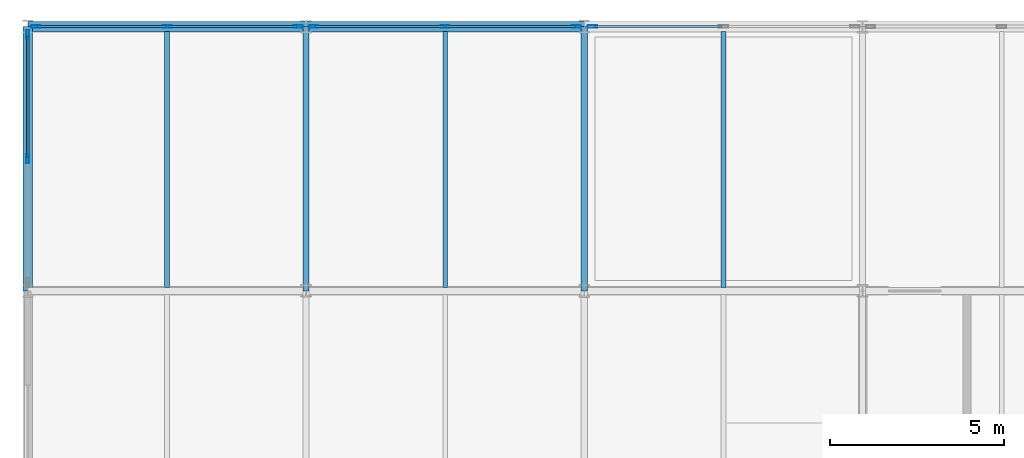
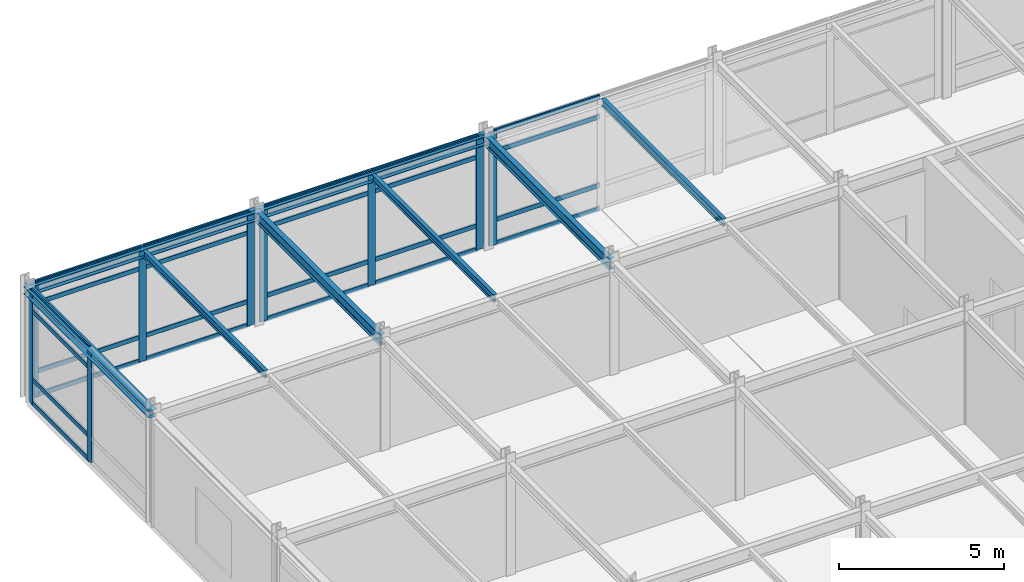
# One storey, part 8 of 16: 33 members, 8 beams, 4 elements without a shape of their own.
"""IFC4 building model written with IfcOpenShell, lengths in metres."""

from ifc_helpers import new_model, si_unit, direction, frame, origin, origin_2d, place, context, subcontext, project, spatial, hollow_rectangle, i_section, extrude, material, layer, layer_set, material_profile, profile_set, type_object, element, aggregate, save


model = new_model("IFC4")

# Units and contexts
model_context = context("Model", 3, precision=1e-05, world=origin(), true_north=direction((0.0, 1.0)))
body_context = subcontext(model_context, "Body", "Model", "MODEL_VIEW")
ifc_project = project(units=[si_unit("LENGTHUNIT", "METRE"), si_unit("AREAUNIT", "SQUARE_METRE"), si_unit("VOLUMEUNIT", "CUBIC_METRE"), si_unit("PLANEANGLEUNIT", "RADIAN"), si_unit("MASSUNIT", "GRAM", prefix="KILO")], contexts=[model_context])

# Site, building, storey
site_placement = place(None, origin())
site = spatial("IfcSite", under=ifc_project, at=site_placement, CompositionType="ELEMENT")
building_placement = place(site_placement, origin())
building = spatial("IfcBuilding", under=site, at=building_placement, Name="Shalkamar Park Central Library", CompositionType="ELEMENT")
storey_placement = place(building_placement, frame((0.0, 0.0, 51.60009765625)))
storey = spatial("IfcBuildingStorey", under=building, at=storey_placement, Name="L13", CompositionType="ELEMENT", Elevation=51.60009765625)

# Beams
ifc_material_1 = material(Name="Steel S355", Category="steel")
ifc_material_profile_1 = material_profile(ifc_material_1, i_section(OverallWidth=0.135009765625, OverallDepth=0.27001953125, WebThickness=0.006591796875, FlangeThickness=0.01025390625, FilletRadius=0.014892578125, at=origin_2d()), Name="IPE 270")
ifc_profile_set_1 = profile_set([ifc_material_profile_1], Name="Steel S355")
beam_type_1 = type_object("IfcBeamType", Name="Composite Floor Joist IPE270", PredefinedType="JOIST", material=ifc_profile_set_1)
for number, where, z_axis, x_axis, name in (
    (1, (169.0, 278.097900390625, 4.044921875), (0.0, 1.0, 0.0), (-1.0, 0.0, 0.0), "Composite Joist 07/F-1 (L13)"),
    (2, (177.0, 278.097900390625, 4.044921875), (0.0, 1.0, 0.0), (-1.0, 0.0, 0.0), "Composite Joist 08/F-1 (L13)"),
    (3, (185.0, 278.097900390625, 4.044921875), (0.0, 1.0, 0.0), (-1.0, 0.0, 0.0), "Composite Joist 09/F-1 (L13)"),
):
    element("IfcBeam", number, at=place(storey_placement, frame(where, z_axis=z_axis, x_axis=x_axis)), inside=storey, type_object=beam_type_1, Name=name, PredefinedType="JOIST", context=body_context, shape_type="SweptSolid", body=[
        extrude(i_section(OverallWidth=0.135009765625, OverallDepth=0.27001953125, WebThickness=0.006591796875, FlangeThickness=0.01025390625, FilletRadius=0.014892578125, at=origin_2d()), origin(), (0.0, 0.0, 1.0), 7.35400390625),
    ])

# Curtain wall, members
ifc_material_2 = material(Name="Thermally broken aluminium and triple low-e curtain wall", Category="aluminium")
ifc_layer_1 = layer(ifc_material_2, 0.260009765625)
ifc_layer_set_1 = layer_set([ifc_layer_1], Name="UnitisedCurtainWall_89")
curtain_wall_type_1 = type_object("IfcCurtainWallType", Name="Unitised Curtain Wall 89", PredefinedType="USERDEFINED", material=ifc_layer_set_1)
curtain_wall_1_placement = place(storey_placement, origin())
curtain_wall_1 = element("IfcCurtainWall", 4, at=curtain_wall_1_placement, inside=storey, type_object=curtain_wall_type_1, Name="Unitised Curtain Wall CW-L13-142", ObjectType="UNITISED CURTAIN WALL", PredefinedType="USERDEFINED")
ifc_material_3 = material(Name="Aluminium 6060-T66", Category="aluminium")
ifc_material_profile_2 = material_profile(ifc_material_3, hollow_rectangle(XDim=0.074951171875, YDim=0.260009765625, WallThickness=0.00439453125, InnerFilletRadius=0.00439453125, OuterFilletRadius=0.0068359375, at=origin_2d()), Name="ALU 75x260x4.5")
ifc_profile_set_2 = profile_set([ifc_material_profile_2], Name="Aluminium 6060-T66")
member_type_1 = type_object("IfcMemberType", Name="Curtain Wall Mullion ALU75x260", PredefinedType="MULLION", material=ifc_profile_set_2)
member_1_placement = place(storey_placement, frame((165.22998046875, 285.60009765625, 0.0), z_axis=(0.0, 0.0, 1.0), x_axis=(0.0, 1.0, 0.0)))
member_1 = element("IfcMember", 5, at=member_1_placement, type_object=member_type_1, Name="CW-89 mullion 1", PredefinedType="MULLION", context=body_context, shape_type="SweptSolid", body=[
    extrude(hollow_rectangle(XDim=0.074951171875, YDim=0.260009765625, WallThickness=0.00439453125, InnerFilletRadius=0.00439453125, OuterFilletRadius=0.0068359375, at=origin_2d()), origin(), (0.0, 0.0, 1.0), 4.179931640625),
])
member_2_placement = place(storey_placement, frame((169.00439453125, 285.60009765625, 0.0), z_axis=(0.0, 0.0, 1.0), x_axis=(0.0, 1.0, 0.0)))
member_2 = element("IfcMember", 6, at=member_2_placement, type_object=member_type_1, Name="CW-89 mullion 2", PredefinedType="MULLION", context=body_context, shape_type="SweptSolid", body=[
    extrude(hollow_rectangle(XDim=0.074951171875, YDim=0.260009765625, WallThickness=0.00439453125, InnerFilletRadius=0.00439453125, OuterFilletRadius=0.0068359375, at=origin_2d()), origin(), (0.0, 0.0, 1.0), 4.179931640625),
])
member_3_placement = place(storey_placement, frame((172.779052734375, 285.60009765625, 0.0), z_axis=(0.0, 0.0, 1.0), x_axis=(0.0, 1.0, 0.0)))
member_3 = element("IfcMember", 7, at=member_3_placement, type_object=member_type_1, Name="CW-89 mullion 3", PredefinedType="MULLION", context=body_context, shape_type="SweptSolid", body=[
    extrude(hollow_rectangle(XDim=0.074951171875, YDim=0.260009765625, WallThickness=0.00439453125, InnerFilletRadius=0.00439453125, OuterFilletRadius=0.0068359375, at=origin_2d()), origin(), (0.0, 0.0, 1.0), 4.179931640625),
])

ifc_layer_2 = layer(ifc_material_2, 0.2548828125)
ifc_layer_set_2 = layer_set([ifc_layer_2], Name="UnitisedCurtainWall_90")
curtain_wall_type_2 = type_object("IfcCurtainWallType", Name="Unitised Curtain Wall 90", PredefinedType="USERDEFINED", material=ifc_layer_set_2)
curtain_wall_2_placement = place(storey_placement, origin())
curtain_wall_2 = element("IfcCurtainWall", 8, at=curtain_wall_2_placement, inside=storey, type_object=curtain_wall_type_2, Name="Unitised Curtain Wall CW-L13-143", ObjectType="UNITISED CURTAIN WALL", PredefinedType="USERDEFINED")
ifc_material_profile_3 = material_profile(ifc_material_3, hollow_rectangle(XDim=0.080078125, YDim=0.2548828125, WallThickness=0.00439453125, InnerFilletRadius=0.00439453125, OuterFilletRadius=0.0068359375, at=origin_2d()), Name="ALU 80x255x4.5")
ifc_profile_set_3 = profile_set([ifc_material_profile_3], Name="Aluminium 6060-T66")
member_type_2 = type_object("IfcMemberType", Name="Curtain Wall Mullion ALU80x255", PredefinedType="MULLION", material=ifc_profile_set_3)
member_4_placement = place(storey_placement, frame((173.223388671875, 285.60009765625, 0.0), z_axis=(0.0, 0.0, 1.0), x_axis=(0.0, 1.0, 0.0)))
member_4 = element("IfcMember", 9, at=member_4_placement, type_object=member_type_2, Name="CW-90 mullion 1", PredefinedType="MULLION", context=body_context, shape_type="SweptSolid", body=[
    extrude(hollow_rectangle(XDim=0.080078125, YDim=0.2548828125, WallThickness=0.00439453125, InnerFilletRadius=0.00439453125, OuterFilletRadius=0.0068359375, at=origin_2d()), origin(), (0.0, 0.0, 1.0), 4.179931640625),
])
member_5_placement = place(storey_placement, frame((176.99560546875, 285.60009765625, 0.0), z_axis=(0.0, 0.0, 1.0), x_axis=(0.0, 1.0, 0.0)))
member_5 = element("IfcMember", 10, at=member_5_placement, type_object=member_type_2, Name="CW-90 mullion 2", PredefinedType="MULLION", context=body_context, shape_type="SweptSolid", body=[
    extrude(hollow_rectangle(XDim=0.080078125, YDim=0.2548828125, WallThickness=0.00439453125, InnerFilletRadius=0.00439453125, OuterFilletRadius=0.0068359375, at=origin_2d()), origin(), (0.0, 0.0, 1.0), 4.179931640625),
])
member_6_placement = place(storey_placement, frame((180.767578125, 285.60009765625, 0.0), z_axis=(0.0, 0.0, 1.0), x_axis=(0.0, 1.0, 0.0)))
member_6 = element("IfcMember", 11, at=member_6_placement, type_object=member_type_2, Name="CW-90 mullion 3", PredefinedType="MULLION", context=body_context, shape_type="SweptSolid", body=[
    extrude(hollow_rectangle(XDim=0.080078125, YDim=0.2548828125, WallThickness=0.00439453125, InnerFilletRadius=0.00439453125, OuterFilletRadius=0.0068359375, at=origin_2d()), origin(), (0.0, 0.0, 1.0), 4.179931640625),
])

ifc_layer_3 = layer(ifc_material_2, 0.2548828125)
ifc_layer_set_3 = layer_set([ifc_layer_3], Name="UnitisedCurtainWall_95")
curtain_wall_type_3 = type_object("IfcCurtainWallType", Name="Unitised Curtain Wall 95", PredefinedType="USERDEFINED", material=ifc_layer_set_3)
curtain_wall_3_placement = place(storey_placement, origin())
curtain_wall_3 = element("IfcCurtainWall", 12, at=curtain_wall_3_placement, inside=storey, type_object=curtain_wall_type_3, Name="Unitised Curtain Wall CW-L13-149", ObjectType="UNITISED CURTAIN WALL", PredefinedType="USERDEFINED")
member_7_placement = place(storey_placement, frame((165.0, 281.800048828125, 0.0), z_axis=(0.0, 0.0, 1.0), x_axis=(-1.0, 0.0, 0.0)))
member_7 = element("IfcMember", 13, at=member_7_placement, type_object=member_type_2, Name="CW-95 mullion 2", PredefinedType="MULLION", context=body_context, shape_type="SweptSolid", body=[
    extrude(hollow_rectangle(XDim=0.080078125, YDim=0.2548828125, WallThickness=0.00439453125, InnerFilletRadius=0.00439453125, OuterFilletRadius=0.0068359375, at=origin_2d()), origin(), (0.0, 0.0, 1.0), 4.179931640625),
])
member_8_placement = place(storey_placement, frame((165.0, 285.367431640625, 0.0), z_axis=(0.0, 0.0, 1.0), x_axis=(-1.0, 0.0, 0.0)))
member_8 = element("IfcMember", 14, at=member_8_placement, type_object=member_type_2, Name="CW-95 mullion 3", PredefinedType="MULLION", context=body_context, shape_type="SweptSolid", body=[
    extrude(hollow_rectangle(XDim=0.080078125, YDim=0.2548828125, WallThickness=0.00439453125, InnerFilletRadius=0.00439453125, OuterFilletRadius=0.0068359375, at=origin_2d()), origin(), (0.0, 0.0, 1.0), 4.179931640625),
])

# Curtain wall, member
ifc_layer_4 = layer(ifc_material_2, 0.27001953125)
ifc_layer_set_4 = layer_set([ifc_layer_4], Name="UnitisedCurtainWall_91")
curtain_wall_type_4 = type_object("IfcCurtainWallType", Name="Unitised Curtain Wall 91", PredefinedType="USERDEFINED", material=ifc_layer_set_4)
curtain_wall_4_placement = place(storey_placement, origin())
curtain_wall_4 = element("IfcCurtainWall", 15, at=curtain_wall_4_placement, inside=storey, type_object=curtain_wall_type_4, Name="Unitised Curtain Wall CW-L13-144", ObjectType="UNITISED CURTAIN WALL", PredefinedType="USERDEFINED")
ifc_material_profile_4 = material_profile(ifc_material_3, hollow_rectangle(XDim=0.080078125, YDim=0.27001953125, WallThickness=0.0048828125, InnerFilletRadius=0.0048828125, OuterFilletRadius=0.007568359375, at=origin_2d()), Name="ALU 80x270x5")
ifc_profile_set_4 = profile_set([ifc_material_profile_4], Name="Aluminium 6060-T66")
member_type_3 = type_object("IfcMemberType", Name="Curtain Wall Mullion ALU80x270", PredefinedType="MULLION", material=ifc_profile_set_4)
member_9_placement = place(storey_placement, frame((181.232421875, 285.60009765625, 0.0), z_axis=(0.0, 0.0, 1.0), x_axis=(0.0, 1.0, 0.0)))
member_9 = element("IfcMember", 16, at=member_9_placement, type_object=member_type_3, Name="CW-91 mullion 1", PredefinedType="MULLION", context=body_context, shape_type="SweptSolid", body=[
    extrude(hollow_rectangle(XDim=0.080078125, YDim=0.27001953125, WallThickness=0.0048828125, InnerFilletRadius=0.0048828125, OuterFilletRadius=0.007568359375, at=origin_2d()), origin(), (0.0, 0.0, 1.0), 4.179931640625),
])

# Member
ifc_material_profile_5 = material_profile(ifc_material_3, hollow_rectangle(XDim=0.06005859375, YDim=0.1650390625, WallThickness=0.00390625, InnerFilletRadius=0.00390625, OuterFilletRadius=0.006103515625, at=origin_2d()), Name="ALU 60x165x4")
ifc_profile_set_5 = profile_set([ifc_material_profile_5], Name="Aluminium 6060-T66")
member_type_4 = type_object("IfcMemberType", Name="Curtain Wall Transom ALU60x165", PredefinedType="USERDEFINED", material=ifc_profile_set_5)
member_10_placement = place(storey_placement, frame((165.267578125, 285.60009765625, 0.02978515625), z_axis=(1.0, 0.0, 0.0), x_axis=(0.0, 1.0, 0.0)))
member_10 = element("IfcMember", 17, at=member_10_placement, type_object=member_type_4, Name="CW-89 transom 1.1", ObjectType="TRANSOM", PredefinedType="USERDEFINED", context=body_context, shape_type="SweptSolid", body=[
    extrude(hollow_rectangle(XDim=0.06005859375, YDim=0.1650390625, WallThickness=0.00390625, InnerFilletRadius=0.00390625, OuterFilletRadius=0.006103515625, at=origin_2d()), origin(), (0.0, 0.0, 1.0), 3.699462890625),
])

member_11_placement = place(storey_placement, frame((165.267578125, 285.60009765625, 0.89990234375), z_axis=(1.0, 0.0, 0.0), x_axis=(0.0, 1.0, 0.0)))
member_11 = element("IfcMember", 18, at=member_11_placement, type_object=member_type_4, Name="CW-89 transom 1.2", ObjectType="TRANSOM", PredefinedType="USERDEFINED", context=body_context, shape_type="SweptSolid", body=[
    extrude(hollow_rectangle(XDim=0.06005859375, YDim=0.1650390625, WallThickness=0.00390625, InnerFilletRadius=0.00390625, OuterFilletRadius=0.006103515625, at=origin_2d()), origin(), (0.0, 0.0, 1.0), 3.699462890625),
])

member_12_placement = place(storey_placement, frame((165.267578125, 285.60009765625, 3.429931640625), z_axis=(1.0, 0.0, 0.0), x_axis=(0.0, 1.0, 0.0)))
member_12 = element("IfcMember", 19, at=member_12_placement, type_object=member_type_4, Name="CW-89 transom 1.3", ObjectType="TRANSOM", PredefinedType="USERDEFINED", context=body_context, shape_type="SweptSolid", body=[
    extrude(hollow_rectangle(XDim=0.06005859375, YDim=0.1650390625, WallThickness=0.00390625, InnerFilletRadius=0.00390625, OuterFilletRadius=0.006103515625, at=origin_2d()), origin(), (0.0, 0.0, 1.0), 3.699462890625),
])

member_13_placement = place(storey_placement, frame((165.267578125, 285.60009765625, 4.14990234375), z_axis=(1.0, 0.0, 0.0), x_axis=(0.0, 1.0, 0.0)))
member_13 = element("IfcMember", 20, at=member_13_placement, type_object=member_type_4, Name="CW-89 transom 1.4", ObjectType="TRANSOM", PredefinedType="USERDEFINED", context=body_context, shape_type="SweptSolid", body=[
    extrude(hollow_rectangle(XDim=0.06005859375, YDim=0.1650390625, WallThickness=0.00390625, InnerFilletRadius=0.00390625, OuterFilletRadius=0.006103515625, at=origin_2d()), origin(), (0.0, 0.0, 1.0), 3.699462890625),
])

member_14_placement = place(storey_placement, frame((169.0419921875, 285.60009765625, 0.02978515625), z_axis=(1.0, 0.0, 0.0), x_axis=(0.0, 1.0, 0.0)))
member_14 = element("IfcMember", 21, at=member_14_placement, type_object=member_type_4, Name="CW-89 transom 2.1", ObjectType="TRANSOM", PredefinedType="USERDEFINED", context=body_context, shape_type="SweptSolid", body=[
    extrude(hollow_rectangle(XDim=0.06005859375, YDim=0.1650390625, WallThickness=0.00390625, InnerFilletRadius=0.00390625, OuterFilletRadius=0.006103515625, at=origin_2d()), origin(), (0.0, 0.0, 1.0), 3.699462890625),
])

member_15_placement = place(storey_placement, frame((169.0419921875, 285.60009765625, 0.89990234375), z_axis=(1.0, 0.0, 0.0), x_axis=(0.0, 1.0, 0.0)))
member_15 = element("IfcMember", 22, at=member_15_placement, type_object=member_type_4, Name="CW-89 transom 2.2", ObjectType="TRANSOM", PredefinedType="USERDEFINED", context=body_context, shape_type="SweptSolid", body=[
    extrude(hollow_rectangle(XDim=0.06005859375, YDim=0.1650390625, WallThickness=0.00390625, InnerFilletRadius=0.00390625, OuterFilletRadius=0.006103515625, at=origin_2d()), origin(), (0.0, 0.0, 1.0), 3.699462890625),
])

member_16_placement = place(storey_placement, frame((169.0419921875, 285.60009765625, 3.429931640625), z_axis=(1.0, 0.0, 0.0), x_axis=(0.0, 1.0, 0.0)))
member_16 = element("IfcMember", 23, at=member_16_placement, type_object=member_type_4, Name="CW-89 transom 2.3", ObjectType="TRANSOM", PredefinedType="USERDEFINED", context=body_context, shape_type="SweptSolid", body=[
    extrude(hollow_rectangle(XDim=0.06005859375, YDim=0.1650390625, WallThickness=0.00390625, InnerFilletRadius=0.00390625, OuterFilletRadius=0.006103515625, at=origin_2d()), origin(), (0.0, 0.0, 1.0), 3.699462890625),
])

member_17_placement = place(storey_placement, frame((169.0419921875, 285.60009765625, 4.14990234375), z_axis=(1.0, 0.0, 0.0), x_axis=(0.0, 1.0, 0.0)))
member_17 = element("IfcMember", 24, at=member_17_placement, type_object=member_type_4, Name="CW-89 transom 2.4", ObjectType="TRANSOM", PredefinedType="USERDEFINED", context=body_context, shape_type="SweptSolid", body=[
    extrude(hollow_rectangle(XDim=0.06005859375, YDim=0.1650390625, WallThickness=0.00390625, InnerFilletRadius=0.00390625, OuterFilletRadius=0.006103515625, at=origin_2d()), origin(), (0.0, 0.0, 1.0), 3.699462890625),
])

aggregate(curtain_wall_1, [member_1, member_2, member_3, member_10, member_11, member_12, member_13, member_14, member_15, member_16, member_17])

ifc_material_profile_6 = material_profile(ifc_material_3, hollow_rectangle(XDim=0.06494140625, YDim=0.169921875, WallThickness=0.00390625, InnerFilletRadius=0.00390625, OuterFilletRadius=0.006103515625, at=origin_2d()), Name="ALU 65x170x4")
ifc_profile_set_6 = profile_set([ifc_material_profile_6], Name="Aluminium 6060-T66")
member_type_5 = type_object("IfcMemberType", Name="Curtain Wall Transom ALU65x170", PredefinedType="USERDEFINED", material=ifc_profile_set_6)
member_18_placement = place(storey_placement, frame((173.263427734375, 285.60009765625, 0.032470703125), z_axis=(1.0, 0.0, 0.0), x_axis=(0.0, 1.0, 0.0)))
member_18 = element("IfcMember", 25, at=member_18_placement, type_object=member_type_5, Name="CW-90 transom 1.1", ObjectType="TRANSOM", PredefinedType="USERDEFINED", context=body_context, shape_type="SweptSolid", body=[
    extrude(hollow_rectangle(XDim=0.06494140625, YDim=0.169921875, WallThickness=0.00390625, InnerFilletRadius=0.00390625, OuterFilletRadius=0.006103515625, at=origin_2d()), origin(), (0.0, 0.0, 1.0), 3.692138671875),
])

member_19_placement = place(storey_placement, frame((173.263427734375, 285.60009765625, 0.89990234375), z_axis=(1.0, 0.0, 0.0), x_axis=(0.0, 1.0, 0.0)))
member_19 = element("IfcMember", 26, at=member_19_placement, type_object=member_type_5, Name="CW-90 transom 1.2", ObjectType="TRANSOM", PredefinedType="USERDEFINED", context=body_context, shape_type="SweptSolid", body=[
    extrude(hollow_rectangle(XDim=0.06494140625, YDim=0.169921875, WallThickness=0.00390625, InnerFilletRadius=0.00390625, OuterFilletRadius=0.006103515625, at=origin_2d()), origin(), (0.0, 0.0, 1.0), 3.692138671875),
])

member_20_placement = place(storey_placement, frame((173.263427734375, 285.60009765625, 3.429931640625), z_axis=(1.0, 0.0, 0.0), x_axis=(0.0, 1.0, 0.0)))
member_20 = element("IfcMember", 27, at=member_20_placement, type_object=member_type_5, Name="CW-90 transom 1.3", ObjectType="TRANSOM", PredefinedType="USERDEFINED", context=body_context, shape_type="SweptSolid", body=[
    extrude(hollow_rectangle(XDim=0.06494140625, YDim=0.169921875, WallThickness=0.00390625, InnerFilletRadius=0.00390625, OuterFilletRadius=0.006103515625, at=origin_2d()), origin(), (0.0, 0.0, 1.0), 3.692138671875),
])

member_21_placement = place(storey_placement, frame((173.263427734375, 285.60009765625, 4.1474609375), z_axis=(1.0, 0.0, 0.0), x_axis=(0.0, 1.0, 0.0)))
member_21 = element("IfcMember", 28, at=member_21_placement, type_object=member_type_5, Name="CW-90 transom 1.4", ObjectType="TRANSOM", PredefinedType="USERDEFINED", context=body_context, shape_type="SweptSolid", body=[
    extrude(hollow_rectangle(XDim=0.06494140625, YDim=0.169921875, WallThickness=0.00390625, InnerFilletRadius=0.00390625, OuterFilletRadius=0.006103515625, at=origin_2d()), origin(), (0.0, 0.0, 1.0), 3.692138671875),
])

member_22_placement = place(storey_placement, frame((177.035400390625, 285.60009765625, 0.032470703125), z_axis=(1.0, 0.0, 0.0), x_axis=(0.0, 1.0, 0.0)))
member_22 = element("IfcMember", 29, at=member_22_placement, type_object=member_type_5, Name="CW-90 transom 2.1", ObjectType="TRANSOM", PredefinedType="USERDEFINED", context=body_context, shape_type="SweptSolid", body=[
    extrude(hollow_rectangle(XDim=0.06494140625, YDim=0.169921875, WallThickness=0.00390625, InnerFilletRadius=0.00390625, OuterFilletRadius=0.006103515625, at=origin_2d()), origin(), (0.0, 0.0, 1.0), 3.692138671875),
])

member_23_placement = place(storey_placement, frame((177.035400390625, 285.60009765625, 0.89990234375), z_axis=(1.0, 0.0, 0.0), x_axis=(0.0, 1.0, 0.0)))
member_23 = element("IfcMember", 30, at=member_23_placement, type_object=member_type_5, Name="CW-90 transom 2.2", ObjectType="TRANSOM", PredefinedType="USERDEFINED", context=body_context, shape_type="SweptSolid", body=[
    extrude(hollow_rectangle(XDim=0.06494140625, YDim=0.169921875, WallThickness=0.00390625, InnerFilletRadius=0.00390625, OuterFilletRadius=0.006103515625, at=origin_2d()), origin(), (0.0, 0.0, 1.0), 3.692138671875),
])

member_24_placement = place(storey_placement, frame((177.035400390625, 285.60009765625, 3.429931640625), z_axis=(1.0, 0.0, 0.0), x_axis=(0.0, 1.0, 0.0)))
member_24 = element("IfcMember", 31, at=member_24_placement, type_object=member_type_5, Name="CW-90 transom 2.3", ObjectType="TRANSOM", PredefinedType="USERDEFINED", context=body_context, shape_type="SweptSolid", body=[
    extrude(hollow_rectangle(XDim=0.06494140625, YDim=0.169921875, WallThickness=0.00390625, InnerFilletRadius=0.00390625, OuterFilletRadius=0.006103515625, at=origin_2d()), origin(), (0.0, 0.0, 1.0), 3.692138671875),
])

member_25_placement = place(storey_placement, frame((177.035400390625, 285.60009765625, 4.1474609375), z_axis=(1.0, 0.0, 0.0), x_axis=(0.0, 1.0, 0.0)))
member_25 = element("IfcMember", 32, at=member_25_placement, type_object=member_type_5, Name="CW-90 transom 2.4", ObjectType="TRANSOM", PredefinedType="USERDEFINED", context=body_context, shape_type="SweptSolid", body=[
    extrude(hollow_rectangle(XDim=0.06494140625, YDim=0.169921875, WallThickness=0.00390625, InnerFilletRadius=0.00390625, OuterFilletRadius=0.006103515625, at=origin_2d()), origin(), (0.0, 0.0, 1.0), 3.692138671875),
])

aggregate(curtain_wall_2, [member_4, member_5, member_6, member_18, member_19, member_20, member_21, member_22, member_23, member_24, member_25])

member_26_placement = place(storey_placement, frame((165.0, 281.840087890625, 0.032470703125), z_axis=(0.0, 1.0, 0.0), x_axis=(-1.0, 0.0, 0.0)))
member_26 = element("IfcMember", 33, at=member_26_placement, type_object=member_type_5, Name="CW-95 transom 2.1", ObjectType="TRANSOM", PredefinedType="USERDEFINED", context=body_context, shape_type="SweptSolid", body=[
    extrude(hollow_rectangle(XDim=0.06494140625, YDim=0.169921875, WallThickness=0.00390625, InnerFilletRadius=0.00390625, OuterFilletRadius=0.006103515625, at=origin_2d()), origin(), (0.0, 0.0, 1.0), 3.4873046875),
])

member_27_placement = place(storey_placement, frame((165.0, 281.840087890625, 0.89990234375), z_axis=(0.0, 1.0, 0.0), x_axis=(-1.0, 0.0, 0.0)))
member_27 = element("IfcMember", 34, at=member_27_placement, type_object=member_type_5, Name="CW-95 transom 2.2", ObjectType="TRANSOM", PredefinedType="USERDEFINED", context=body_context, shape_type="SweptSolid", body=[
    extrude(hollow_rectangle(XDim=0.06494140625, YDim=0.169921875, WallThickness=0.00390625, InnerFilletRadius=0.00390625, OuterFilletRadius=0.006103515625, at=origin_2d()), origin(), (0.0, 0.0, 1.0), 3.4873046875),
])

member_28_placement = place(storey_placement, frame((165.0, 281.840087890625, 3.429931640625), z_axis=(0.0, 1.0, 0.0), x_axis=(-1.0, 0.0, 0.0)))
member_28 = element("IfcMember", 35, at=member_28_placement, type_object=member_type_5, Name="CW-95 transom 2.3", ObjectType="TRANSOM", PredefinedType="USERDEFINED", context=body_context, shape_type="SweptSolid", body=[
    extrude(hollow_rectangle(XDim=0.06494140625, YDim=0.169921875, WallThickness=0.00390625, InnerFilletRadius=0.00390625, OuterFilletRadius=0.006103515625, at=origin_2d()), origin(), (0.0, 0.0, 1.0), 3.4873046875),
])

member_29_placement = place(storey_placement, frame((165.0, 281.840087890625, 4.1474609375), z_axis=(0.0, 1.0, 0.0), x_axis=(-1.0, 0.0, 0.0)))
member_29 = element("IfcMember", 36, at=member_29_placement, type_object=member_type_5, Name="CW-95 transom 2.4", ObjectType="TRANSOM", PredefinedType="USERDEFINED", context=body_context, shape_type="SweptSolid", body=[
    extrude(hollow_rectangle(XDim=0.06494140625, YDim=0.169921875, WallThickness=0.00390625, InnerFilletRadius=0.00390625, OuterFilletRadius=0.006103515625, at=origin_2d()), origin(), (0.0, 0.0, 1.0), 3.4873046875),
])

aggregate(curtain_wall_3, [member_7, member_8, member_26, member_27, member_28, member_29])

ifc_material_profile_7 = material_profile(ifc_material_3, hollow_rectangle(XDim=0.06494140625, YDim=0.175048828125, WallThickness=0.00439453125, InnerFilletRadius=0.00439453125, OuterFilletRadius=0.0068359375, at=origin_2d()), Name="ALU 65x175x4.5")
ifc_profile_set_7 = profile_set([ifc_material_profile_7], Name="Aluminium 6060-T66")
member_type_6 = type_object("IfcMemberType", Name="Curtain Wall Transom ALU65x175", PredefinedType="USERDEFINED", material=ifc_profile_set_7)
member_30_placement = place(storey_placement, frame((181.2724609375, 285.60009765625, 0.032470703125), z_axis=(1.0, 0.0, 0.0), x_axis=(0.0, 1.0, 0.0)))
member_30 = element("IfcMember", 37, at=member_30_placement, type_object=member_type_6, Name="CW-91 transom 1.1", ObjectType="TRANSOM", PredefinedType="USERDEFINED", context=body_context, shape_type="SweptSolid", body=[
    extrude(hollow_rectangle(XDim=0.06494140625, YDim=0.175048828125, WallThickness=0.00439453125, InnerFilletRadius=0.00439453125, OuterFilletRadius=0.0068359375, at=origin_2d()), origin(), (0.0, 0.0, 1.0), 3.692138671875),
])

member_31_placement = place(storey_placement, frame((181.2724609375, 285.60009765625, 0.89990234375), z_axis=(1.0, 0.0, 0.0), x_axis=(0.0, 1.0, 0.0)))
member_31 = element("IfcMember", 38, at=member_31_placement, type_object=member_type_6, Name="CW-91 transom 1.2", ObjectType="TRANSOM", PredefinedType="USERDEFINED", context=body_context, shape_type="SweptSolid", body=[
    extrude(hollow_rectangle(XDim=0.06494140625, YDim=0.175048828125, WallThickness=0.00439453125, InnerFilletRadius=0.00439453125, OuterFilletRadius=0.0068359375, at=origin_2d()), origin(), (0.0, 0.0, 1.0), 3.692138671875),
])

member_32_placement = place(storey_placement, frame((181.2724609375, 285.60009765625, 3.429931640625), z_axis=(1.0, 0.0, 0.0), x_axis=(0.0, 1.0, 0.0)))
member_32 = element("IfcMember", 39, at=member_32_placement, type_object=member_type_6, Name="CW-91 transom 1.3", ObjectType="TRANSOM", PredefinedType="USERDEFINED", context=body_context, shape_type="SweptSolid", body=[
    extrude(hollow_rectangle(XDim=0.06494140625, YDim=0.175048828125, WallThickness=0.00439453125, InnerFilletRadius=0.00439453125, OuterFilletRadius=0.0068359375, at=origin_2d()), origin(), (0.0, 0.0, 1.0), 3.692138671875),
])

member_33_placement = place(storey_placement, frame((181.2724609375, 285.60009765625, 4.1474609375), z_axis=(1.0, 0.0, 0.0), x_axis=(0.0, 1.0, 0.0)))
member_33 = element("IfcMember", 40, at=member_33_placement, type_object=member_type_6, Name="CW-91 transom 1.4", ObjectType="TRANSOM", PredefinedType="USERDEFINED", context=body_context, shape_type="SweptSolid", body=[
    extrude(hollow_rectangle(XDim=0.06494140625, YDim=0.175048828125, WallThickness=0.00439453125, InnerFilletRadius=0.00439453125, OuterFilletRadius=0.0068359375, at=origin_2d()), origin(), (0.0, 0.0, 1.0), 3.692138671875),
])

aggregate(curtain_wall_4, [member_9, member_30, member_31, member_32, member_33])

# Beams
ifc_material_profile_8 = material_profile(ifc_material_1, i_section(OverallWidth=0.280029296875, OverallDepth=0.27001953125, WebThickness=0.008056640625, FlangeThickness=0.012939453125, FilletRadius=0.02392578125, at=origin_2d()), Name="HEA 280")
ifc_profile_set_8 = profile_set([ifc_material_profile_8], Name="Steel S355")
beam_type_2 = type_object("IfcBeamType", Name="Perimeter Spandrel Beam HEA280", PredefinedType="SPANDREL", material=ifc_profile_set_8)
beam_placement = place(storey_placement, frame((165.0, 278.0, 4.044921875), z_axis=(0.0, 1.0, 0.0), x_axis=(-1.0, 0.0, 0.0)))
element("IfcBeam", 41, at=beam_placement, inside=storey, type_object=beam_type_2, Name="Beam 07:F-G (L13)", PredefinedType="SPANDREL", context=body_context, shape_type="SweptSolid", body=[
    extrude(i_section(OverallWidth=0.280029296875, OverallDepth=0.27001953125, WebThickness=0.008056640625, FlangeThickness=0.012939453125, FilletRadius=0.02392578125, at=origin_2d()), origin(), (0.0, 0.0, 1.0), 7.60009765625),
])
ifc_material_profile_9 = material_profile(ifc_material_1, i_section(OverallWidth=0.300048828125, OverallDepth=0.31005859375, WebThickness=0.009033203125, FlangeThickness=0.015380859375, FilletRadius=0.027099609375, at=origin_2d()), Name="HEA 320")
ifc_profile_set_9 = profile_set([ifc_material_profile_9], Name="Steel S355")
beam_type_3 = type_object("IfcBeamType", Name="Perimeter Spandrel Beam HEA320", PredefinedType="SPANDREL", material=ifc_profile_set_9)
for number, where, z_axis, x_axis, name in (
    (42, (165.0, 285.60009765625, 4.02490234375), (1.0, 0.0, 0.0), (0.0, 1.0, 0.0), "Beam G:07-08 (L13)"),
    (43, (173.0, 285.60009765625, 4.02490234375), (1.0, 0.0, 0.0), (0.0, 1.0, 0.0), "Beam G:08-09 (L13)"),
):
    element("IfcBeam", number, at=place(storey_placement, frame(where, z_axis=z_axis, x_axis=x_axis)), inside=storey, type_object=beam_type_3, Name=name, PredefinedType="SPANDREL", context=body_context, shape_type="SweptSolid", body=[
        extrude(i_section(OverallWidth=0.300048828125, OverallDepth=0.31005859375, WebThickness=0.009033203125, FlangeThickness=0.015380859375, FilletRadius=0.027099609375, at=origin_2d()), origin(), (0.0, 0.0, 1.0), 8.0),
    ])
ifc_material_profile_10 = material_profile(ifc_material_1, i_section(OverallWidth=0.179931640625, OverallDepth=0.39990234375, WebThickness=0.008544921875, FlangeThickness=0.013427734375, FilletRadius=0.02099609375, at=origin_2d()), Name="IPE 400")
ifc_profile_set_10 = profile_set([ifc_material_profile_10], Name="Steel S355")
beam_type_4 = type_object("IfcBeamType", Name="Primary Girder IPE400", PredefinedType="BEAM", material=ifc_profile_set_10)
for number, where, z_axis, x_axis, name in (
    (44, (173.0, 278.0, 3.97998046875), (0.0, 1.0, 0.0), (-1.0, 0.0, 0.0), "Beam 08:F-G (L13)"),
    (45, (181.0, 278.0, 3.97998046875), (0.0, 1.0, 0.0), (-1.0, 0.0, 0.0), "Beam 09:F-G (L13)"),
):
    element("IfcBeam", number, at=place(storey_placement, frame(where, z_axis=z_axis, x_axis=x_axis)), inside=storey, type_object=beam_type_4, Name=name, PredefinedType="BEAM", context=body_context, shape_type="SweptSolid", body=[
        extrude(i_section(OverallWidth=0.179931640625, OverallDepth=0.39990234375, WebThickness=0.008544921875, FlangeThickness=0.013427734375, FilletRadius=0.02099609375, at=origin_2d()), origin(), (0.0, 0.0, 1.0), 7.60009765625),
    ])

save(model, "model.ifc")
